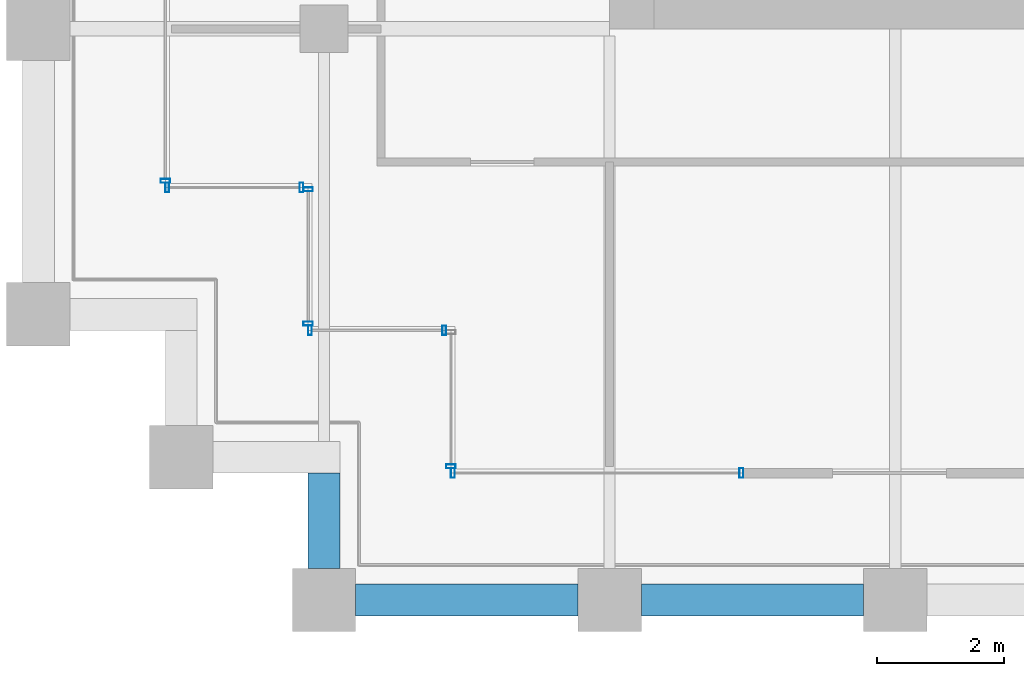
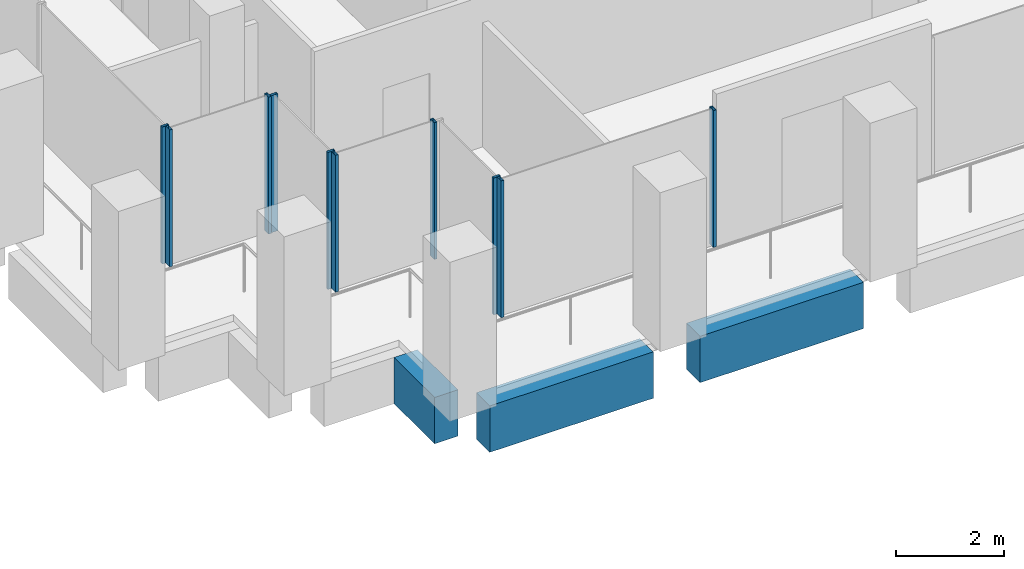
# One storey, part 28 of 46: 10 members, 3 beams, 6 elements without a shape of their own.
"""IFC4 building model written with IfcOpenShell, lengths in metres."""

from ifc_helpers import new_model, si_unit, direction, frame, origin, origin_2d, place, context, subcontext, project, spatial, rectangle, hollow_rectangle, extrude, material, material_profile, profile_set, type_object, element, aggregate, save


model = new_model("IFC4")

# Units and contexts
model_context = context("Model", 3, precision=1e-05, world=origin(), true_north=direction((0.0, 1.0)))
body_context = subcontext(model_context, "Body", "Model", "MODEL_VIEW")
ifc_project = project(units=[si_unit("LENGTHUNIT", "METRE"), si_unit("AREAUNIT", "SQUARE_METRE"), si_unit("VOLUMEUNIT", "CUBIC_METRE"), si_unit("PLANEANGLEUNIT", "RADIAN"), si_unit("MASSUNIT", "GRAM", prefix="KILO")], contexts=[model_context])

# Site, building, storey
site_placement = place(None, origin())
site = spatial("IfcSite", under=ifc_project, at=site_placement, CompositionType="ELEMENT")
building_placement = place(site_placement, origin())
building = spatial("IfcBuilding", under=site, at=building_placement, Name="Altepetl Exchange Towers", CompositionType="ELEMENT")
storey_placement = place(building_placement, frame((0.0, 0.0, 102.800048828125)))
storey = spatial("IfcBuildingStorey", under=building, at=storey_placement, Name="L25", CompositionType="ELEMENT", Elevation=102.800048828125)

# Curtain wall, member
ifc_material_1 = material(Name="Aluminium 6063-T6 glazing", Category="aluminium")
curtain_wall_type = type_object("IfcCurtainWallType", Name="Loggia glazing system", PredefinedType="NOTDEFINED", material=ifc_material_1)
curtain_wall_1_placement = place(storey_placement, origin())
curtain_wall_1 = element("IfcCurtainWall", 1, at=curtain_wall_1_placement, inside=storey, type_object=curtain_wall_type, Name="CW1 run", PredefinedType="NOTDEFINED")
ifc_material_2 = material(Name="Aluminium 6063-T6", Category="aluminium")
ifc_material_profile_1 = material_profile(ifc_material_2, hollow_rectangle(XDim=0.06005859375, YDim=0.14990234375, WallThickness=0.0029296875, at=origin_2d()), Name="Mullion 60x150 aluminium")
ifc_profile_set_1 = profile_set([ifc_material_profile_1], Name="Aluminium 6063-T6")
member_type = type_object("IfcMemberType", Name="Mullion 60x150 aluminium", PredefinedType="MULLION", material=ifc_profile_set_1)
member_1_placement = place(storey_placement, frame((96.5, 33.60498046875, 0.0), z_axis=(0.0, 0.0, 1.0), x_axis=(0.0, -1.0, 0.0)))
member_1 = element("IfcMember", 2, at=member_1_placement, type_object=member_type, Name="MU1 mullion", PredefinedType="MULLION", context=body_context, shape_type="SweptSolid", body=[
    extrude(hollow_rectangle(XDim=0.06005859375, YDim=0.14990234375, WallThickness=0.0029296875, at=origin_2d()), origin(), (0.0, 0.0, 1.0), 3.099853515625),
])
aggregate(curtain_wall_1, [member_1])

# Curtain wall, members
curtain_wall_2_placement = place(storey_placement, origin())
curtain_wall_2 = element("IfcCurtainWall", 3, at=curtain_wall_2_placement, inside=storey, type_object=curtain_wall_type, Name="CW1 run", PredefinedType="NOTDEFINED")
member_2_placement = place(storey_placement, frame((96.530029296875, 33.5, 0.0)))
member_2 = element("IfcMember", 4, at=member_2_placement, type_object=member_type, Name="MU1 mullion", PredefinedType="MULLION", context=body_context, shape_type="SweptSolid", body=[
    extrude(hollow_rectangle(XDim=0.06005859375, YDim=0.14990234375, WallThickness=0.0029296875, at=origin_2d()), origin(), (0.0, 0.0, 1.0), 3.099853515625),
])
member_3_placement = place(storey_placement, frame((98.64501953125, 33.5, 0.0)))
member_3 = element("IfcMember", 5, at=member_3_placement, type_object=member_type, Name="MU1 mullion", PredefinedType="MULLION", context=body_context, shape_type="SweptSolid", body=[
    extrude(hollow_rectangle(XDim=0.06005859375, YDim=0.14990234375, WallThickness=0.0029296875, at=origin_2d()), origin(), (0.0, 0.0, 1.0), 3.099853515625),
])
aggregate(curtain_wall_2, [member_2, member_3])

curtain_wall_3_placement = place(storey_placement, origin())
curtain_wall_3 = element("IfcCurtainWall", 6, at=curtain_wall_3_placement, inside=storey, type_object=curtain_wall_type, Name="CW1 run", PredefinedType="NOTDEFINED")
member_4_placement = place(storey_placement, frame((98.75, 33.469970703125, 0.0), z_axis=(0.0, 0.0, 1.0), x_axis=(0.0, -1.0, 0.0)))
member_4 = element("IfcMember", 7, at=member_4_placement, type_object=member_type, Name="MU1 mullion", PredefinedType="MULLION", context=body_context, shape_type="SweptSolid", body=[
    extrude(hollow_rectangle(XDim=0.06005859375, YDim=0.14990234375, WallThickness=0.0029296875, at=origin_2d()), origin(), (0.0, 0.0, 1.0), 3.099853515625),
])
member_5_placement = place(storey_placement, frame((98.75, 31.35498046875, 0.0), z_axis=(0.0, 0.0, 1.0), x_axis=(0.0, -1.0, 0.0)))
member_5 = element("IfcMember", 8, at=member_5_placement, type_object=member_type, Name="MU1 mullion", PredefinedType="MULLION", context=body_context, shape_type="SweptSolid", body=[
    extrude(hollow_rectangle(XDim=0.06005859375, YDim=0.14990234375, WallThickness=0.0029296875, at=origin_2d()), origin(), (0.0, 0.0, 1.0), 3.099853515625),
])
aggregate(curtain_wall_3, [member_4, member_5])

curtain_wall_4_placement = place(storey_placement, origin())
curtain_wall_4 = element("IfcCurtainWall", 9, at=curtain_wall_4_placement, inside=storey, type_object=curtain_wall_type, Name="CW1 run", PredefinedType="NOTDEFINED")
member_6_placement = place(storey_placement, frame((98.780029296875, 31.25, 0.0)))
member_6 = element("IfcMember", 10, at=member_6_placement, type_object=member_type, Name="MU1 mullion", PredefinedType="MULLION", context=body_context, shape_type="SweptSolid", body=[
    extrude(hollow_rectangle(XDim=0.06005859375, YDim=0.14990234375, WallThickness=0.0029296875, at=origin_2d()), origin(), (0.0, 0.0, 1.0), 3.099853515625),
])
member_7_placement = place(storey_placement, frame((100.89501953125, 31.25, 0.0)))
member_7 = element("IfcMember", 11, at=member_7_placement, type_object=member_type, Name="MU1 mullion", PredefinedType="MULLION", context=body_context, shape_type="SweptSolid", body=[
    extrude(hollow_rectangle(XDim=0.06005859375, YDim=0.14990234375, WallThickness=0.0029296875, at=origin_2d()), origin(), (0.0, 0.0, 1.0), 3.099853515625),
])
aggregate(curtain_wall_4, [member_6, member_7])

# Curtain wall, member
curtain_wall_5_placement = place(storey_placement, origin())
curtain_wall_5 = element("IfcCurtainWall", 12, at=curtain_wall_5_placement, inside=storey, type_object=curtain_wall_type, Name="CW1 run", PredefinedType="NOTDEFINED")
member_8_placement = place(storey_placement, frame((101.0, 29.10498046875, 0.0), z_axis=(0.0, 0.0, 1.0), x_axis=(0.0, -1.0, 0.0)))
member_8 = element("IfcMember", 13, at=member_8_placement, type_object=member_type, Name="MU1 mullion", PredefinedType="MULLION", context=body_context, shape_type="SweptSolid", body=[
    extrude(hollow_rectangle(XDim=0.06005859375, YDim=0.14990234375, WallThickness=0.0029296875, at=origin_2d()), origin(), (0.0, 0.0, 1.0), 3.099853515625),
])
aggregate(curtain_wall_5, [member_8])

# Curtain wall, members
curtain_wall_6_placement = place(storey_placement, origin())
curtain_wall_6 = element("IfcCurtainWall", 14, at=curtain_wall_6_placement, inside=storey, type_object=curtain_wall_type, Name="CW1 run", PredefinedType="NOTDEFINED")
member_9_placement = place(storey_placement, frame((101.030029296875, 29.0, 0.0)))
member_9 = element("IfcMember", 15, at=member_9_placement, type_object=member_type, Name="MU1 mullion", PredefinedType="MULLION", context=body_context, shape_type="SweptSolid", body=[
    extrude(hollow_rectangle(XDim=0.06005859375, YDim=0.14990234375, WallThickness=0.0029296875, at=origin_2d()), origin(), (0.0, 0.0, 1.0), 3.099853515625),
])
member_10_placement = place(storey_placement, frame((105.576171875, 29.0, 0.0)))
member_10 = element("IfcMember", 16, at=member_10_placement, type_object=member_type, Name="MU1 mullion", PredefinedType="MULLION", context=body_context, shape_type="SweptSolid", body=[
    extrude(hollow_rectangle(XDim=0.06005859375, YDim=0.14990234375, WallThickness=0.0029296875, at=origin_2d()), origin(), (0.0, 0.0, 1.0), 3.099853515625),
])
aggregate(curtain_wall_6, [member_9, member_10])

# Beams
ifc_material_3 = material(Name="Concrete C50/60 precast with tezontle facing", Category="concrete")
ifc_material_profile_2 = material_profile(ifc_material_3, rectangle(XDim=0.5, YDim=1.050048828125, at=origin_2d()), Name="500 x 1050")
ifc_profile_set_2 = profile_set([ifc_material_profile_2], Name="Concrete C50/60 precast with tezontle facing")
beam_type = type_object("IfcBeamType", Name="Spandrel beam 500x1050 tezontle", PredefinedType="SPANDREL", material=ifc_profile_set_2)
for number, where, z_axis, x_axis, name in (
    (17, (99.5, 27.0, -0.675048828125), (1.0, 0.0, 0.0), (0.0, 1.0, 0.0), "sp:B:L25:000"),
    (18, (104.0, 27.0, -0.675048828125), (1.0, 0.0, 0.0), (0.0, 1.0, 0.0), "sp:B:L25:001"),
):
    element("IfcBeam", number, at=place(storey_placement, frame(where, z_axis=z_axis, x_axis=x_axis)), inside=storey, type_object=beam_type, Name=name, PredefinedType="SPANDREL", context=body_context, shape_type="SweptSolid", body=[
        extrude(rectangle(XDim=0.5, YDim=1.050048828125, at=origin_2d()), origin(), (0.0, 0.0, 1.0), 3.5),
    ])
beam_placement = place(storey_placement, frame((99.0, 29.0, -0.675048828125), z_axis=(0.0, -1.0, 0.0), x_axis=(1.0, 0.0, 0.0)))
element("IfcBeam", 19, at=beam_placement, inside=storey, type_object=beam_type, Name="sp:B:L25:030", PredefinedType="SPANDREL", context=body_context, shape_type="SweptSolid", body=[
    extrude(rectangle(XDim=0.5, YDim=1.050048828125, at=origin_2d()), origin(), (0.0, 0.0, 1.0), 1.5),
])

save(model, "model.ifc")
